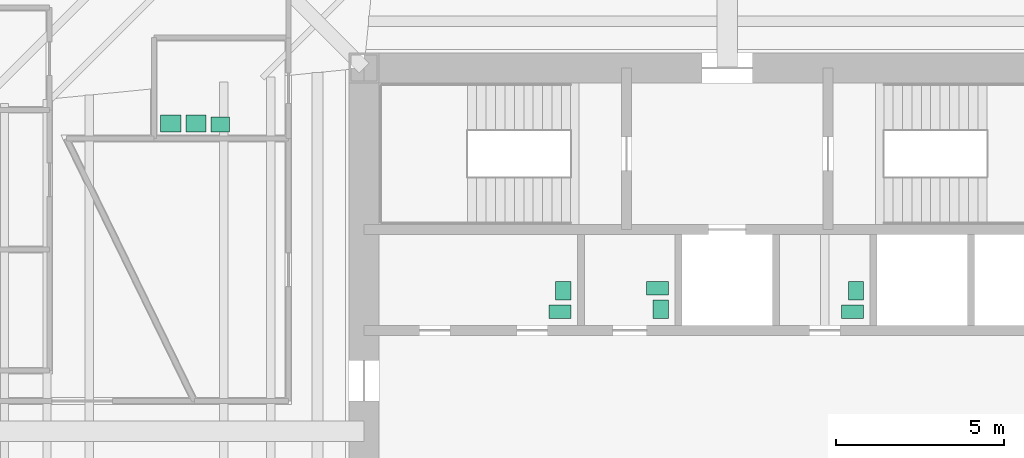
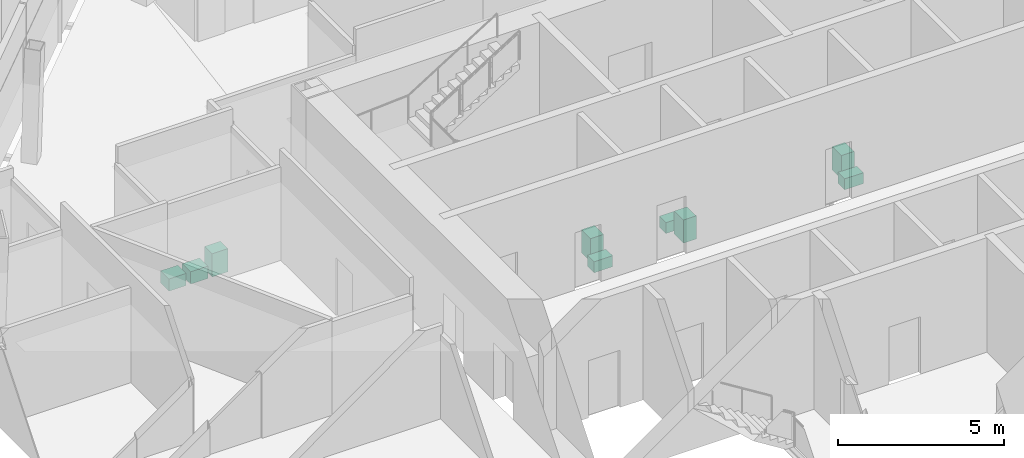
# One storey, part 14 of 14: 9 sanitary terminals.
"""IFC4 building model written with IfcOpenShell, lengths in metres."""

from ifc_helpers import new_model, si_unit, direction, frame, origin, origin_2d, place, context, subcontext, project, spatial, rectangle, extrude, material, type_object, element, save


model = new_model("IFC4")

# Units and contexts
model_context = context("Model", 3, precision=1e-05, world=origin(), true_north=direction((0.0, 1.0)))
body_context = subcontext(model_context, "Body", "Model", "MODEL_VIEW")
ifc_project = project(units=[si_unit("LENGTHUNIT", "METRE"), si_unit("AREAUNIT", "SQUARE_METRE"), si_unit("VOLUMEUNIT", "CUBIC_METRE"), si_unit("PLANEANGLEUNIT", "RADIAN"), si_unit("MASSUNIT", "GRAM", prefix="KILO")], contexts=[model_context])

# Site, building, storey
site_placement = place(None, origin())
site = spatial("IfcSite", under=ifc_project, at=site_placement, CompositionType="ELEMENT")
building_placement = place(site_placement, origin())
building = spatial("IfcBuilding", under=site, at=building_placement, Name="Mashrafa Tower", CompositionType="ELEMENT")
storey_placement = place(building_placement, frame((0.0, 0.0, 113.39990234375)))
storey = spatial("IfcBuildingStorey", under=building, at=storey_placement, Name="L25", CompositionType="ELEMENT", Elevation=113.39990234375)

# Sanitary terminals
ifc_material_1 = material(Name="Stainless steel", Category="steel")
sanitary_terminal_type_1 = type_object("IfcSanitaryTerminalType", Name="Ablution wash station 600 x 500", PredefinedType="WASHHANDBASIN", material=ifc_material_1)
for number, where, z_axis, x_axis, name in (
    (1, (-16.550048828125, 9.14990234375, 0.0), (0.0, 0.0, 1.0), (1.0, 0.0, 0.0), "Ablution wash station Ablution Room L25"),
    (2, (-15.800048828125, 9.14990234375, 0.0), (0.0, 0.0, 1.0), (1.0, 0.0, 0.0), "Ablution wash station Ablution Room L25"),
):
    element("IfcSanitaryTerminal", number, at=place(storey_placement, frame(where, z_axis=z_axis, x_axis=x_axis)), inside=storey, type_object=sanitary_terminal_type_1, Name=name, PredefinedType="WASHHANDBASIN", context=body_context, shape_type="SweptSolid", body=[
        extrude(rectangle(XDim=0.60009765625, YDim=0.5, at=origin_2d()), origin(), (0.0, 0.0, 1.0), 0.449951171875),
    ])
ifc_material_2 = material(Name="Vitreous china")
sanitary_terminal_type_2 = type_object("IfcSanitaryTerminalType", Name="Toilet pan 400 x 650", PredefinedType="TOILETPAN", material=ifc_material_2)
for number, where, z_axis, x_axis, name in (
    (3, (-4.97509765625, 3.550048828125, 0.000244140625), (0.0, 0.0, 1.0), (0.0, 1.0, 0.0), "Toilet pan WC Female L25"),
    (4, (-2.074951171875, 4.25, 0.000244140625), (0.0, 0.0, 1.0), (0.0, 1.0, 0.0), "Toilet pan Accessible WC L25"),
    (5, (3.72509765625, 3.550048828125, 0.000244140625), (0.0, 0.0, 1.0), (0.0, 1.0, 0.0), "Toilet pan WC Male L25"),
):
    element("IfcSanitaryTerminal", number, at=place(storey_placement, frame(where, z_axis=z_axis, x_axis=x_axis)), inside=storey, type_object=sanitary_terminal_type_2, Name=name, PredefinedType="TOILETPAN", context=body_context, shape_type="SweptSolid", body=[
        extrude(rectangle(XDim=0.39990234375, YDim=0.64990234375, at=origin_2d()), origin(), (0.0, 0.0, 1.0), 0.39990234375),
    ])
ifc_material_3 = material(Name="Vitreous china")
sanitary_terminal_type_3 = type_object("IfcSanitaryTerminalType", Name="Wash basin 550 x 450", PredefinedType="WASHHANDBASIN", material=ifc_material_3)
for number, where, z_axis, x_axis, name in (
    (6, (-4.875, 4.175048828125, 0.0), (0.0, 0.0, 1.0), (0.0, 1.0, 0.0), "Wash basin WC Female L25"),
    (7, (-1.97509765625, 3.625, 0.0), (0.0, 0.0, 1.0), (0.0, 1.0, 0.0), "Wash basin Accessible WC L25"),
    (8, (3.824951171875, 4.175048828125, 0.0), (0.0, 0.0, 1.0), (0.0, 1.0, 0.0), "Wash basin WC Male L25"),
    (9, (-15.074951171875, 9.125, 0.0), (0.0, 0.0, 1.0), (1.0, 0.0, 0.0), "Wash basin Ablution Room L25"),
):
    element("IfcSanitaryTerminal", number, at=place(storey_placement, frame(where, z_axis=z_axis, x_axis=x_axis)), inside=storey, type_object=sanitary_terminal_type_3, Name=name, PredefinedType="WASHHANDBASIN", context=body_context, shape_type="SweptSolid", body=[
        extrude(rectangle(XDim=0.550048828125, YDim=0.449951171875, at=origin_2d()), origin(), (0.0, 0.0, 1.0), 0.85009765625),
    ])

save(model, "model.ifc")
